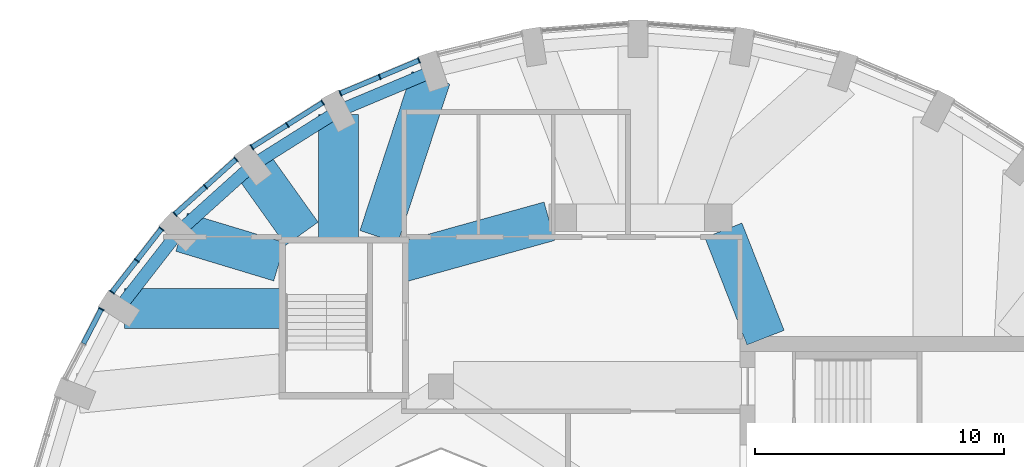
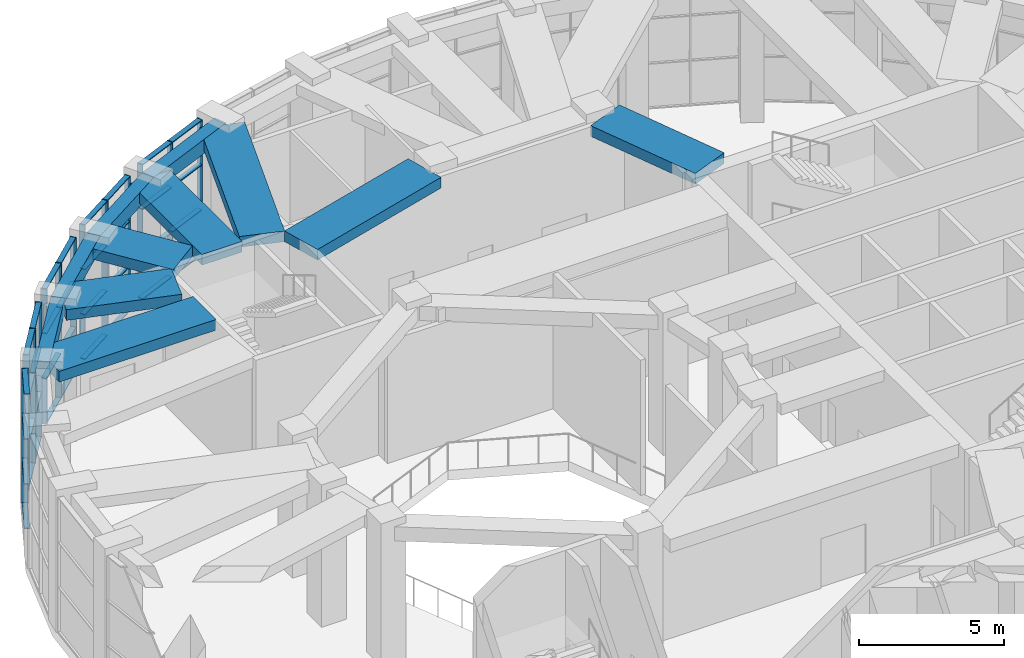
# One storey, part 9 of 20: 49 members, 11 beams, 5 elements without a shape of their own.
"""IFC4 building model written with IfcOpenShell, lengths in metres."""

from ifc_helpers import new_model, si_unit, direction, frame, origin, origin_2d, place, context, subcontext, project, spatial, rectangle, extrude, material, material_profile, profile_set, type_object, element, aggregate, save


model = new_model("IFC4")

# Units and contexts
model_context = context("Model", 3, precision=1e-05, world=origin(), true_north=direction((0.0, 1.0)))
body_context = subcontext(model_context, "Body", "Model", "MODEL_VIEW")
ifc_project = project(units=[si_unit("LENGTHUNIT", "METRE"), si_unit("AREAUNIT", "SQUARE_METRE"), si_unit("VOLUMEUNIT", "CUBIC_METRE"), si_unit("PLANEANGLEUNIT", "RADIAN"), si_unit("MASSUNIT", "GRAM", prefix="KILO")], contexts=[model_context])

# Site, building, storey
site_placement = place(None, origin())
site = spatial("IfcSite", under=ifc_project, at=site_placement, CompositionType="ELEMENT")
building_placement = place(site_placement, origin())
building = spatial("IfcBuilding", under=site, at=building_placement, Name="Taillehof Tower", CompositionType="ELEMENT")
storey_placement = place(building_placement, frame((0.0, 0.0, 269.199951171875)))
storey = spatial("IfcBuildingStorey", under=building, at=storey_placement, Name="L76", CompositionType="ELEMENT", Elevation=269.199951171875)

# Curtain wall, members
ifc_material_1 = material(Name="Aluminium curtain wall with Clear toughened laminated glass", Category="aluminium")
curtain_wall_type = type_object("IfcCurtainWallType", Name="Observation deck curtain wall", PredefinedType="USERDEFINED", material=ifc_material_1)
curtain_wall_1_placement = place(storey_placement, origin())
curtain_wall_1 = element("IfcCurtainWall", 1, at=curtain_wall_1_placement, inside=storey, type_object=curtain_wall_type, Name="Observation deck L76 bay 12", ObjectType="WINDOW WALL", PredefinedType="USERDEFINED")
ifc_material_2 = material(Name="Aluminium mullion", Category="aluminium")
ifc_material_profile_1 = material_profile(ifc_material_2, rectangle(XDim=0.239990234375, YDim=0.0400390625, at=origin_2d()), Name="AL 40x240")
ifc_profile_set_1 = profile_set([ifc_material_profile_1], Name="Aluminium mullion")
member_type_1 = type_object("IfcMemberType", Name="Observation deck mullion 40x240", PredefinedType="MULLION", material=ifc_profile_set_1)
member_1_placement = place(storey_placement, frame((-8.88916015625, 21.07763671875, 0.0), z_axis=(0.0, 0.0, 1.0), x_axis=(0.387100713636, -0.922037438233, 0.0)))
member_1 = element("IfcMember", 2, at=member_1_placement, type_object=member_type_1, Name="CT6E12 mullion 1", PredefinedType="MULLION", context=body_context, shape_type="SweptSolid", body=[
    extrude(rectangle(XDim=0.239990234375, YDim=0.0400390625, at=origin_2d()), origin(), (0.0, 0.0, 1.0), 5.699951171875),
])
member_2_placement = place(storey_placement, frame((-10.46533203125, 20.415771484375, 0.0), z_axis=(0.0, 0.0, 1.0), x_axis=(0.387100713636, -0.922037438233, 0.0)))
member_2 = element("IfcMember", 3, at=member_2_placement, type_object=member_type_1, Name="CT6E12 mullion 2", PredefinedType="MULLION", context=body_context, shape_type="SweptSolid", body=[
    extrude(rectangle(XDim=0.239990234375, YDim=0.0400390625, at=origin_2d()), origin(), (0.0, 0.0, 1.0), 5.699951171875),
])
member_3_placement = place(storey_placement, frame((-12.041259765625, 19.754150390625, 0.0), z_axis=(0.0, 0.0, 1.0), x_axis=(0.387100713636, -0.922037438233, 0.0)))
member_3 = element("IfcMember", 4, at=member_3_placement, type_object=member_type_1, Name="CT6E12 mullion 3", PredefinedType="MULLION", context=body_context, shape_type="SweptSolid", body=[
    extrude(rectangle(XDim=0.239990234375, YDim=0.0400390625, at=origin_2d()), origin(), (0.0, 0.0, 1.0), 5.699951171875),
])

curtain_wall_2_placement = place(storey_placement, origin())
curtain_wall_2 = element("IfcCurtainWall", 5, at=curtain_wall_2_placement, inside=storey, type_object=curtain_wall_type, Name="Observation deck L76 bay 13", ObjectType="WINDOW WALL", PredefinedType="USERDEFINED")
member_4_placement = place(storey_placement, frame((-12.7509765625, 19.384765625, 0.0), z_axis=(0.0, 0.0, 1.0), x_axis=(0.533294430468, -0.845929695916, 0.0)))
member_4 = element("IfcMember", 6, at=member_4_placement, type_object=member_type_1, Name="CT6E13 mullion 1", PredefinedType="MULLION", context=body_context, shape_type="SweptSolid", body=[
    extrude(rectangle(XDim=0.239990234375, YDim=0.0400390625, at=origin_2d()), origin(), (0.0, 0.0, 1.0), 5.699951171875),
])
member_5_placement = place(storey_placement, frame((-14.17236328125, 18.48876953125, 0.0), z_axis=(0.0, 0.0, 1.0), x_axis=(0.533294430468, -0.845929695916, 0.0)))
member_5 = element("IfcMember", 7, at=member_5_placement, type_object=member_type_1, Name="CT6E13 mullion 2", PredefinedType="MULLION", context=body_context, shape_type="SweptSolid", body=[
    extrude(rectangle(XDim=0.239990234375, YDim=0.0400390625, at=origin_2d()), origin(), (0.0, 0.0, 1.0), 5.699951171875),
])
member_6_placement = place(storey_placement, frame((-15.593505859375, 17.5927734375, 0.0), z_axis=(0.0, 0.0, 1.0), x_axis=(0.533294430468, -0.845929695916, 0.0)))
member_6 = element("IfcMember", 8, at=member_6_placement, type_object=member_type_1, Name="CT6E13 mullion 3", PredefinedType="MULLION", context=body_context, shape_type="SweptSolid", body=[
    extrude(rectangle(XDim=0.239990234375, YDim=0.0400390625, at=origin_2d()), origin(), (0.0, 0.0, 1.0), 5.699951171875),
])

curtain_wall_3_placement = place(storey_placement, origin())
curtain_wall_3 = element("IfcCurtainWall", 9, at=curtain_wall_3_placement, inside=storey, type_object=curtain_wall_type, Name="Observation deck L76 bay 14", ObjectType="WINDOW WALL", PredefinedType="USERDEFINED")
member_7_placement = place(storey_placement, frame((-16.231689453125, 17.110107421875, 0.0), z_axis=(0.0, 0.0, 1.0), x_axis=(0.669107157872, -0.74316593792, 0.0)))
member_7 = element("IfcMember", 10, at=member_7_placement, type_object=member_type_1, Name="CT6E14 mullion 1", PredefinedType="MULLION", context=body_context, shape_type="SweptSolid", body=[
    extrude(rectangle(XDim=0.239990234375, YDim=0.0400390625, at=origin_2d()), origin(), (0.0, 0.0, 1.0), 5.699951171875),
])
member_8_placement = place(storey_placement, frame((-17.455078125, 16.00830078125, 0.0), z_axis=(0.0, 0.0, 1.0), x_axis=(0.669107157872, -0.74316593792, 0.0)))
member_8 = element("IfcMember", 11, at=member_8_placement, type_object=member_type_1, Name="CT6E14 mullion 2", PredefinedType="MULLION", context=body_context, shape_type="SweptSolid", body=[
    extrude(rectangle(XDim=0.239990234375, YDim=0.0400390625, at=origin_2d()), origin(), (0.0, 0.0, 1.0), 5.699951171875),
])
member_9_placement = place(storey_placement, frame((-18.6787109375, 14.90673828125, 0.0), z_axis=(0.0, 0.0, 1.0), x_axis=(0.669107157872, -0.74316593792, 0.0)))
member_9 = element("IfcMember", 12, at=member_9_placement, type_object=member_type_1, Name="CT6E14 mullion 3", PredefinedType="MULLION", context=body_context, shape_type="SweptSolid", body=[
    extrude(rectangle(XDim=0.239990234375, YDim=0.0400390625, at=origin_2d()), origin(), (0.0, 0.0, 1.0), 5.699951171875),
])

curtain_wall_4_placement = place(storey_placement, origin())
curtain_wall_4 = element("IfcCurtainWall", 13, at=curtain_wall_4_placement, inside=storey, type_object=curtain_wall_type, Name="Observation deck L76 bay 15", ObjectType="WINDOW WALL", PredefinedType="USERDEFINED")
member_10_placement = place(storey_placement, frame((-19.2236328125, 14.321044921875, 0.0), z_axis=(0.0, 0.0, 1.0), x_axis=(0.789381612432, -0.613902818005, 0.0)))
member_10 = element("IfcMember", 14, at=member_10_placement, type_object=member_type_1, Name="CT6E15 mullion 1", PredefinedType="MULLION", context=body_context, shape_type="SweptSolid", body=[
    extrude(rectangle(XDim=0.239990234375, YDim=0.0400390625, at=origin_2d()), origin(), (0.0, 0.0, 1.0), 5.699951171875),
])
member_11_placement = place(storey_placement, frame((-20.21337890625, 13.04833984375, 0.0), z_axis=(0.0, 0.0, 1.0), x_axis=(0.789381612432, -0.613902818005, 0.0)))
member_11 = element("IfcMember", 15, at=member_11_placement, type_object=member_type_1, Name="CT6E15 mullion 2", PredefinedType="MULLION", context=body_context, shape_type="SweptSolid", body=[
    extrude(rectangle(XDim=0.239990234375, YDim=0.0400390625, at=origin_2d()), origin(), (0.0, 0.0, 1.0), 5.699951171875),
])
member_12_placement = place(storey_placement, frame((-21.203125, 11.775634765625, 0.0), z_axis=(0.0, 0.0, 1.0), x_axis=(0.789381612432, -0.613902818005, 0.0)))
member_12 = element("IfcMember", 16, at=member_12_placement, type_object=member_type_1, Name="CT6E15 mullion 3", PredefinedType="MULLION", context=body_context, shape_type="SweptSolid", body=[
    extrude(rectangle(XDim=0.239990234375, YDim=0.0400390625, at=origin_2d()), origin(), (0.0, 0.0, 1.0), 5.699951171875),
])

# Curtain wall, member
curtain_wall_5_placement = place(storey_placement, origin())
curtain_wall_5 = element("IfcCurtainWall", 17, at=curtain_wall_5_placement, inside=storey, type_object=curtain_wall_type, Name="Observation deck L76 bay 16", ObjectType="WINDOW WALL", PredefinedType="USERDEFINED")
member_13_placement = place(storey_placement, frame((-21.634521484375, 11.10205078125, 0.0), z_axis=(0.0, 0.0, 1.0), x_axis=(0.887975262702, -0.459891218474, 0.0)))
member_13 = element("IfcMember", 18, at=member_13_placement, type_object=member_type_1, Name="CT6E16 mullion 1", PredefinedType="MULLION", context=body_context, shape_type="SweptSolid", body=[
    extrude(rectangle(XDim=0.239990234375, YDim=0.0400390625, at=origin_2d()), origin(), (0.0, 0.0, 1.0), 5.699951171875),
])

# Member
ifc_material_3 = material(Name="Aluminium transom", Category="aluminium")
ifc_material_profile_2 = material_profile(ifc_material_3, rectangle(XDim=0.199951171875, YDim=0.0400390625, at=origin_2d()), Name="AL 200x40")
ifc_profile_set_2 = profile_set([ifc_material_profile_2], Name="Aluminium transom")
member_type_2 = type_object("IfcMemberType", Name="Observation deck transom 200x40", PredefinedType="USERDEFINED", material=ifc_profile_set_2)
member_14_placement = place(storey_placement, frame((-8.907470703125, 21.06982421875, 0.02001953125), z_axis=(-0.922039527132, -0.387095738036, 0.0), x_axis=(0.387095738036, -0.922039527132, 0.0)))
member_14 = element("IfcMember", 19, at=member_14_placement, type_object=member_type_2, Name="CT6E12 transom 1.1", ObjectType="TRANSOM", PredefinedType="USERDEFINED", context=body_context, shape_type="SweptSolid", body=[
    extrude(rectangle(XDim=0.199951171875, YDim=0.0400390625, at=origin_2d()), origin(), (0.0, 0.0, 1.0), 1.66943359375),
])

member_15_placement = place(storey_placement, frame((-8.907470703125, 21.06982421875, 1.900146484375), z_axis=(-0.922039527132, -0.387095738036, 0.0), x_axis=(0.387095738036, -0.922039527132, 0.0)))
member_15 = element("IfcMember", 20, at=member_15_placement, type_object=member_type_2, Name="CT6E12 transom 1.2", ObjectType="TRANSOM", PredefinedType="USERDEFINED", context=body_context, shape_type="SweptSolid", body=[
    extrude(rectangle(XDim=0.199951171875, YDim=0.0400390625, at=origin_2d()), origin(), (0.0, 0.0, 1.0), 1.66943359375),
])

member_16_placement = place(storey_placement, frame((-8.907470703125, 21.06982421875, 3.800048828125), z_axis=(-0.922039527132, -0.387095738036, 0.0), x_axis=(0.387095738036, -0.922039527132, 0.0)))
member_16 = element("IfcMember", 21, at=member_16_placement, type_object=member_type_2, Name="CT6E12 transom 1.3", ObjectType="TRANSOM", PredefinedType="USERDEFINED", context=body_context, shape_type="SweptSolid", body=[
    extrude(rectangle(XDim=0.199951171875, YDim=0.0400390625, at=origin_2d()), origin(), (0.0, 0.0, 1.0), 1.66943359375),
])

member_17_placement = place(storey_placement, frame((-8.907470703125, 21.06982421875, 5.679931640625), z_axis=(-0.922039527132, -0.387095738036, 0.0), x_axis=(0.387095738036, -0.922039527132, 0.0)))
member_17 = element("IfcMember", 22, at=member_17_placement, type_object=member_type_2, Name="CT6E12 transom 1.4", ObjectType="TRANSOM", PredefinedType="USERDEFINED", context=body_context, shape_type="SweptSolid", body=[
    extrude(rectangle(XDim=0.199951171875, YDim=0.0400390625, at=origin_2d()), origin(), (0.0, 0.0, 1.0), 1.66943359375),
])

member_18_placement = place(storey_placement, frame((-10.483642578125, 20.408203125, 0.02001953125), z_axis=(-0.922039527132, -0.387095738036, 0.0), x_axis=(0.387095738036, -0.922039527132, 0.0)))
member_18 = element("IfcMember", 23, at=member_18_placement, type_object=member_type_2, Name="CT6E12 transom 2.1", ObjectType="TRANSOM", PredefinedType="USERDEFINED", context=body_context, shape_type="SweptSolid", body=[
    extrude(rectangle(XDim=0.199951171875, YDim=0.0400390625, at=origin_2d()), origin(), (0.0, 0.0, 1.0), 1.66943359375),
])

member_19_placement = place(storey_placement, frame((-10.483642578125, 20.408203125, 1.900146484375), z_axis=(-0.922039527132, -0.387095738036, 0.0), x_axis=(0.387095738036, -0.922039527132, 0.0)))
member_19 = element("IfcMember", 24, at=member_19_placement, type_object=member_type_2, Name="CT6E12 transom 2.2", ObjectType="TRANSOM", PredefinedType="USERDEFINED", context=body_context, shape_type="SweptSolid", body=[
    extrude(rectangle(XDim=0.199951171875, YDim=0.0400390625, at=origin_2d()), origin(), (0.0, 0.0, 1.0), 1.66943359375),
])

member_20_placement = place(storey_placement, frame((-10.483642578125, 20.408203125, 3.800048828125), z_axis=(-0.922039527132, -0.387095738036, 0.0), x_axis=(0.387095738036, -0.922039527132, 0.0)))
member_20 = element("IfcMember", 25, at=member_20_placement, type_object=member_type_2, Name="CT6E12 transom 2.3", ObjectType="TRANSOM", PredefinedType="USERDEFINED", context=body_context, shape_type="SweptSolid", body=[
    extrude(rectangle(XDim=0.199951171875, YDim=0.0400390625, at=origin_2d()), origin(), (0.0, 0.0, 1.0), 1.66943359375),
])

member_21_placement = place(storey_placement, frame((-10.483642578125, 20.408203125, 5.679931640625), z_axis=(-0.922039527132, -0.387095738036, 0.0), x_axis=(0.387095738036, -0.922039527132, 0.0)))
member_21 = element("IfcMember", 26, at=member_21_placement, type_object=member_type_2, Name="CT6E12 transom 2.4", ObjectType="TRANSOM", PredefinedType="USERDEFINED", context=body_context, shape_type="SweptSolid", body=[
    extrude(rectangle(XDim=0.199951171875, YDim=0.0400390625, at=origin_2d()), origin(), (0.0, 0.0, 1.0), 1.66943359375),
])

aggregate(curtain_wall_1, [member_1, member_2, member_3, member_14, member_15, member_16, member_17, member_18, member_19, member_20, member_21])

member_22_placement = place(storey_placement, frame((-12.767822265625, 19.3740234375, 0.02001953125), z_axis=(-0.84597669572, -0.533219870503, 0.0), x_axis=(0.533219870503, -0.84597669572, 0.0)))
member_22 = element("IfcMember", 27, at=member_22_placement, type_object=member_type_2, Name="CT6E13 transom 1.1", ObjectType="TRANSOM", PredefinedType="USERDEFINED", context=body_context, shape_type="SweptSolid", body=[
    extrude(rectangle(XDim=0.199951171875, YDim=0.0400390625, at=origin_2d()), origin(), (0.0, 0.0, 1.0), 1.64013671875),
])

member_23_placement = place(storey_placement, frame((-12.767822265625, 19.3740234375, 1.900146484375), z_axis=(-0.84597669572, -0.533219870503, 0.0), x_axis=(0.533219870503, -0.84597669572, 0.0)))
member_23 = element("IfcMember", 28, at=member_23_placement, type_object=member_type_2, Name="CT6E13 transom 1.2", ObjectType="TRANSOM", PredefinedType="USERDEFINED", context=body_context, shape_type="SweptSolid", body=[
    extrude(rectangle(XDim=0.199951171875, YDim=0.0400390625, at=origin_2d()), origin(), (0.0, 0.0, 1.0), 1.64013671875),
])

member_24_placement = place(storey_placement, frame((-12.767822265625, 19.3740234375, 3.800048828125), z_axis=(-0.84597669572, -0.533219870503, 0.0), x_axis=(0.533219870503, -0.84597669572, 0.0)))
member_24 = element("IfcMember", 29, at=member_24_placement, type_object=member_type_2, Name="CT6E13 transom 1.3", ObjectType="TRANSOM", PredefinedType="USERDEFINED", context=body_context, shape_type="SweptSolid", body=[
    extrude(rectangle(XDim=0.199951171875, YDim=0.0400390625, at=origin_2d()), origin(), (0.0, 0.0, 1.0), 1.64013671875),
])

member_25_placement = place(storey_placement, frame((-12.767822265625, 19.3740234375, 5.679931640625), z_axis=(-0.84597669572, -0.533219870503, 0.0), x_axis=(0.533219870503, -0.84597669572, 0.0)))
member_25 = element("IfcMember", 30, at=member_25_placement, type_object=member_type_2, Name="CT6E13 transom 1.4", ObjectType="TRANSOM", PredefinedType="USERDEFINED", context=body_context, shape_type="SweptSolid", body=[
    extrude(rectangle(XDim=0.199951171875, YDim=0.0400390625, at=origin_2d()), origin(), (0.0, 0.0, 1.0), 1.64013671875),
])

member_26_placement = place(storey_placement, frame((-14.189208984375, 18.47802734375, 0.02001953125), z_axis=(-0.845909544428, -0.533326394102, 0.0), x_axis=(0.533326394102, -0.845909544428, 0.0)))
member_26 = element("IfcMember", 31, at=member_26_placement, type_object=member_type_2, Name="CT6E13 transom 2.1", ObjectType="TRANSOM", PredefinedType="USERDEFINED", context=body_context, shape_type="SweptSolid", body=[
    extrude(rectangle(XDim=0.199951171875, YDim=0.0400390625, at=origin_2d()), origin(), (0.0, 0.0, 1.0), 1.64013671875),
])

member_27_placement = place(storey_placement, frame((-14.189208984375, 18.47802734375, 1.900146484375), z_axis=(-0.845909544428, -0.533326394102, 0.0), x_axis=(0.533326394102, -0.845909544428, 0.0)))
member_27 = element("IfcMember", 32, at=member_27_placement, type_object=member_type_2, Name="CT6E13 transom 2.2", ObjectType="TRANSOM", PredefinedType="USERDEFINED", context=body_context, shape_type="SweptSolid", body=[
    extrude(rectangle(XDim=0.199951171875, YDim=0.0400390625, at=origin_2d()), origin(), (0.0, 0.0, 1.0), 1.64013671875),
])

member_28_placement = place(storey_placement, frame((-14.189208984375, 18.47802734375, 3.800048828125), z_axis=(-0.845909544428, -0.533326394102, 0.0), x_axis=(0.533326394102, -0.845909544428, 0.0)))
member_28 = element("IfcMember", 33, at=member_28_placement, type_object=member_type_2, Name="CT6E13 transom 2.3", ObjectType="TRANSOM", PredefinedType="USERDEFINED", context=body_context, shape_type="SweptSolid", body=[
    extrude(rectangle(XDim=0.199951171875, YDim=0.0400390625, at=origin_2d()), origin(), (0.0, 0.0, 1.0), 1.64013671875),
])

member_29_placement = place(storey_placement, frame((-14.189208984375, 18.47802734375, 5.679931640625), z_axis=(-0.845909544428, -0.533326394102, 0.0), x_axis=(0.533326394102, -0.845909544428, 0.0)))
member_29 = element("IfcMember", 34, at=member_29_placement, type_object=member_type_2, Name="CT6E13 transom 2.4", ObjectType="TRANSOM", PredefinedType="USERDEFINED", context=body_context, shape_type="SweptSolid", body=[
    extrude(rectangle(XDim=0.199951171875, YDim=0.0400390625, at=origin_2d()), origin(), (0.0, 0.0, 1.0), 1.64013671875),
])

aggregate(curtain_wall_2, [member_4, member_5, member_6, member_22, member_23, member_24, member_25, member_26, member_27, member_28, member_29])

member_30_placement = place(storey_placement, frame((-16.246337890625, 17.0966796875, 0.02001953125), z_axis=(-0.7432110271, -0.669057074693, 0.0), x_axis=(0.669057074693, -0.7432110271, 0.0)))
member_30 = element("IfcMember", 35, at=member_30_placement, type_object=member_type_2, Name="CT6E14 transom 1.1", ObjectType="TRANSOM", PredefinedType="USERDEFINED", context=body_context, shape_type="SweptSolid", body=[
    extrude(rectangle(XDim=0.199951171875, YDim=0.0400390625, at=origin_2d()), origin(), (0.0, 0.0, 1.0), 1.606689453125),
])

member_31_placement = place(storey_placement, frame((-16.246337890625, 17.0966796875, 1.900146484375), z_axis=(-0.7432110271, -0.669057074693, 0.0), x_axis=(0.669057074693, -0.7432110271, 0.0)))
member_31 = element("IfcMember", 36, at=member_31_placement, type_object=member_type_2, Name="CT6E14 transom 1.2", ObjectType="TRANSOM", PredefinedType="USERDEFINED", context=body_context, shape_type="SweptSolid", body=[
    extrude(rectangle(XDim=0.199951171875, YDim=0.0400390625, at=origin_2d()), origin(), (0.0, 0.0, 1.0), 1.606689453125),
])

member_32_placement = place(storey_placement, frame((-16.246337890625, 17.0966796875, 3.800048828125), z_axis=(-0.7432110271, -0.669057074693, 0.0), x_axis=(0.669057074693, -0.7432110271, 0.0)))
member_32 = element("IfcMember", 37, at=member_32_placement, type_object=member_type_2, Name="CT6E14 transom 1.3", ObjectType="TRANSOM", PredefinedType="USERDEFINED", context=body_context, shape_type="SweptSolid", body=[
    extrude(rectangle(XDim=0.199951171875, YDim=0.0400390625, at=origin_2d()), origin(), (0.0, 0.0, 1.0), 1.606689453125),
])

member_33_placement = place(storey_placement, frame((-16.246337890625, 17.0966796875, 5.679931640625), z_axis=(-0.7432110271, -0.669057074693, 0.0), x_axis=(0.669057074693, -0.7432110271, 0.0)))
member_33 = element("IfcMember", 38, at=member_33_placement, type_object=member_type_2, Name="CT6E14 transom 1.4", ObjectType="TRANSOM", PredefinedType="USERDEFINED", context=body_context, shape_type="SweptSolid", body=[
    extrude(rectangle(XDim=0.199951171875, YDim=0.0400390625, at=origin_2d()), origin(), (0.0, 0.0, 1.0), 1.606689453125),
])

member_34_placement = place(storey_placement, frame((-17.469970703125, 15.994873046875, 0.02001953125), z_axis=(-0.74321856764, -0.669048698313, 0.0), x_axis=(0.669048698313, -0.74321856764, 0.0)))
member_34 = element("IfcMember", 39, at=member_34_placement, type_object=member_type_2, Name="CT6E14 transom 2.1", ObjectType="TRANSOM", PredefinedType="USERDEFINED", context=body_context, shape_type="SweptSolid", body=[
    extrude(rectangle(XDim=0.199951171875, YDim=0.0400390625, at=origin_2d()), origin(), (0.0, 0.0, 1.0), 1.606201171875),
])

member_35_placement = place(storey_placement, frame((-17.469970703125, 15.994873046875, 1.900146484375), z_axis=(-0.74321856764, -0.669048698313, 0.0), x_axis=(0.669048698313, -0.74321856764, 0.0)))
member_35 = element("IfcMember", 40, at=member_35_placement, type_object=member_type_2, Name="CT6E14 transom 2.2", ObjectType="TRANSOM", PredefinedType="USERDEFINED", context=body_context, shape_type="SweptSolid", body=[
    extrude(rectangle(XDim=0.199951171875, YDim=0.0400390625, at=origin_2d()), origin(), (0.0, 0.0, 1.0), 1.606201171875),
])

member_36_placement = place(storey_placement, frame((-17.469970703125, 15.994873046875, 3.800048828125), z_axis=(-0.74321856764, -0.669048698313, 0.0), x_axis=(0.669048698313, -0.74321856764, 0.0)))
member_36 = element("IfcMember", 41, at=member_36_placement, type_object=member_type_2, Name="CT6E14 transom 2.3", ObjectType="TRANSOM", PredefinedType="USERDEFINED", context=body_context, shape_type="SweptSolid", body=[
    extrude(rectangle(XDim=0.199951171875, YDim=0.0400390625, at=origin_2d()), origin(), (0.0, 0.0, 1.0), 1.606201171875),
])

member_37_placement = place(storey_placement, frame((-17.469970703125, 15.994873046875, 5.679931640625), z_axis=(-0.74321856764, -0.669048698313, 0.0), x_axis=(0.669048698313, -0.74321856764, 0.0)))
member_37 = element("IfcMember", 42, at=member_37_placement, type_object=member_type_2, Name="CT6E14 transom 2.4", ObjectType="TRANSOM", PredefinedType="USERDEFINED", context=body_context, shape_type="SweptSolid", body=[
    extrude(rectangle(XDim=0.199951171875, YDim=0.0400390625, at=origin_2d()), origin(), (0.0, 0.0, 1.0), 1.606201171875),
])

aggregate(curtain_wall_3, [member_7, member_8, member_9, member_30, member_31, member_32, member_33, member_34, member_35, member_36, member_37])

member_38_placement = place(storey_placement, frame((-19.236083984375, 14.30517578125, 0.02001953125), z_axis=(-0.613897606681, -0.789385665256, 0.0), x_axis=(0.789385665256, -0.613897606681, 0.0)))
member_38 = element("IfcMember", 43, at=member_38_placement, type_object=member_type_2, Name="CT6E15 transom 1.1", ObjectType="TRANSOM", PredefinedType="USERDEFINED", context=body_context, shape_type="SweptSolid", body=[
    extrude(rectangle(XDim=0.199951171875, YDim=0.0400390625, at=origin_2d()), origin(), (0.0, 0.0, 1.0), 1.572021484375),
])

member_39_placement = place(storey_placement, frame((-19.236083984375, 14.30517578125, 1.900146484375), z_axis=(-0.613897606681, -0.789385665256, 0.0), x_axis=(0.789385665256, -0.613897606681, 0.0)))
member_39 = element("IfcMember", 44, at=member_39_placement, type_object=member_type_2, Name="CT6E15 transom 1.2", ObjectType="TRANSOM", PredefinedType="USERDEFINED", context=body_context, shape_type="SweptSolid", body=[
    extrude(rectangle(XDim=0.199951171875, YDim=0.0400390625, at=origin_2d()), origin(), (0.0, 0.0, 1.0), 1.572021484375),
])

member_40_placement = place(storey_placement, frame((-19.236083984375, 14.30517578125, 3.800048828125), z_axis=(-0.613897606681, -0.789385665256, 0.0), x_axis=(0.789385665256, -0.613897606681, 0.0)))
member_40 = element("IfcMember", 45, at=member_40_placement, type_object=member_type_2, Name="CT6E15 transom 1.3", ObjectType="TRANSOM", PredefinedType="USERDEFINED", context=body_context, shape_type="SweptSolid", body=[
    extrude(rectangle(XDim=0.199951171875, YDim=0.0400390625, at=origin_2d()), origin(), (0.0, 0.0, 1.0), 1.572021484375),
])

member_41_placement = place(storey_placement, frame((-19.236083984375, 14.30517578125, 5.679931640625), z_axis=(-0.613897606681, -0.789385665256, 0.0), x_axis=(0.789385665256, -0.613897606681, 0.0)))
member_41 = element("IfcMember", 46, at=member_41_placement, type_object=member_type_2, Name="CT6E15 transom 1.4", ObjectType="TRANSOM", PredefinedType="USERDEFINED", context=body_context, shape_type="SweptSolid", body=[
    extrude(rectangle(XDim=0.199951171875, YDim=0.0400390625, at=origin_2d()), origin(), (0.0, 0.0, 1.0), 1.572021484375),
])

member_42_placement = place(storey_placement, frame((-20.225830078125, 13.032470703125, 0.02001953125), z_axis=(-0.613897606681, -0.789385665256, 0.0), x_axis=(0.789385665256, -0.613897606681, 0.0)))
member_42 = element("IfcMember", 47, at=member_42_placement, type_object=member_type_2, Name="CT6E15 transom 2.1", ObjectType="TRANSOM", PredefinedType="USERDEFINED", context=body_context, shape_type="SweptSolid", body=[
    extrude(rectangle(XDim=0.199951171875, YDim=0.0400390625, at=origin_2d()), origin(), (0.0, 0.0, 1.0), 1.572021484375),
])

member_43_placement = place(storey_placement, frame((-20.225830078125, 13.032470703125, 1.900146484375), z_axis=(-0.613897606681, -0.789385665256, 0.0), x_axis=(0.789385665256, -0.613897606681, 0.0)))
member_43 = element("IfcMember", 48, at=member_43_placement, type_object=member_type_2, Name="CT6E15 transom 2.2", ObjectType="TRANSOM", PredefinedType="USERDEFINED", context=body_context, shape_type="SweptSolid", body=[
    extrude(rectangle(XDim=0.199951171875, YDim=0.0400390625, at=origin_2d()), origin(), (0.0, 0.0, 1.0), 1.572021484375),
])

member_44_placement = place(storey_placement, frame((-20.225830078125, 13.032470703125, 3.800048828125), z_axis=(-0.613897606681, -0.789385665256, 0.0), x_axis=(0.789385665256, -0.613897606681, 0.0)))
member_44 = element("IfcMember", 49, at=member_44_placement, type_object=member_type_2, Name="CT6E15 transom 2.3", ObjectType="TRANSOM", PredefinedType="USERDEFINED", context=body_context, shape_type="SweptSolid", body=[
    extrude(rectangle(XDim=0.199951171875, YDim=0.0400390625, at=origin_2d()), origin(), (0.0, 0.0, 1.0), 1.572021484375),
])

member_45_placement = place(storey_placement, frame((-20.225830078125, 13.032470703125, 5.679931640625), z_axis=(-0.613897606681, -0.789385665256, 0.0), x_axis=(0.789385665256, -0.613897606681, 0.0)))
member_45 = element("IfcMember", 50, at=member_45_placement, type_object=member_type_2, Name="CT6E15 transom 2.4", ObjectType="TRANSOM", PredefinedType="USERDEFINED", context=body_context, shape_type="SweptSolid", body=[
    extrude(rectangle(XDim=0.199951171875, YDim=0.0400390625, at=origin_2d()), origin(), (0.0, 0.0, 1.0), 1.572021484375),
])

aggregate(curtain_wall_4, [member_10, member_11, member_12, member_38, member_39, member_40, member_41, member_42, member_43, member_44, member_45])

member_46_placement = place(storey_placement, frame((-21.643798828125, 11.084228515625, 0.02001953125), z_axis=(-0.459901076525, -0.88797015705, 0.0), x_axis=(0.88797015705, -0.459901076525, 0.0)))
member_46 = element("IfcMember", 51, at=member_46_placement, type_object=member_type_2, Name="CT6E16 transom 1.1", ObjectType="TRANSOM", PredefinedType="USERDEFINED", context=body_context, shape_type="SweptSolid", body=[
    extrude(rectangle(XDim=0.199951171875, YDim=0.0400390625, at=origin_2d()), origin(), (0.0, 0.0, 1.0), 1.54150390625),
])

member_47_placement = place(storey_placement, frame((-21.643798828125, 11.084228515625, 1.900146484375), z_axis=(-0.459901076525, -0.88797015705, 0.0), x_axis=(0.88797015705, -0.459901076525, 0.0)))
member_47 = element("IfcMember", 52, at=member_47_placement, type_object=member_type_2, Name="CT6E16 transom 1.2", ObjectType="TRANSOM", PredefinedType="USERDEFINED", context=body_context, shape_type="SweptSolid", body=[
    extrude(rectangle(XDim=0.199951171875, YDim=0.0400390625, at=origin_2d()), origin(), (0.0, 0.0, 1.0), 1.54150390625),
])

member_48_placement = place(storey_placement, frame((-21.643798828125, 11.084228515625, 3.800048828125), z_axis=(-0.459901076525, -0.88797015705, 0.0), x_axis=(0.88797015705, -0.459901076525, 0.0)))
member_48 = element("IfcMember", 53, at=member_48_placement, type_object=member_type_2, Name="CT6E16 transom 1.3", ObjectType="TRANSOM", PredefinedType="USERDEFINED", context=body_context, shape_type="SweptSolid", body=[
    extrude(rectangle(XDim=0.199951171875, YDim=0.0400390625, at=origin_2d()), origin(), (0.0, 0.0, 1.0), 1.54150390625),
])

member_49_placement = place(storey_placement, frame((-21.643798828125, 11.084228515625, 5.679931640625), z_axis=(-0.459901076525, -0.88797015705, 0.0), x_axis=(0.88797015705, -0.459901076525, 0.0)))
member_49 = element("IfcMember", 54, at=member_49_placement, type_object=member_type_2, Name="CT6E16 transom 1.4", ObjectType="TRANSOM", PredefinedType="USERDEFINED", context=body_context, shape_type="SweptSolid", body=[
    extrude(rectangle(XDim=0.199951171875, YDim=0.0400390625, at=origin_2d()), origin(), (0.0, 0.0, 1.0), 1.54150390625),
])

aggregate(curtain_wall_5, [member_13, member_46, member_47, member_48, member_49])

# Beams
ifc_material_4 = material(Name="Concrete C50/60", Category="concrete")
ifc_material_profile_3 = material_profile(ifc_material_4, rectangle(XDim=1.60009765625, YDim=0.449951171875, at=origin_2d()), Name="RC 1600x450")
ifc_profile_set_3 = profile_set([ifc_material_profile_3], Name="Concrete C50/60")
beam_type_1 = type_object("IfcBeamType", Name="Radial band beam C50/60 1600x450", PredefinedType="BEAM", material=ifc_profile_set_3)
beam_1_placement = place(storey_placement, frame((-8.41162109375, 20.38134765625, 5.47509765625), z_axis=(-0.311042642597, -0.950395956687, 0.0), x_axis=(0.950395956687, -0.311042642597, 0.0)))
element("IfcBeam", 55, at=beam_1_placement, inside=storey, type_object=beam_type_1, Name="Radial band beam RB12", PredefinedType="BEAM", context=body_context, shape_type="SweptSolid", body=[
    extrude(rectangle(XDim=1.60009765625, YDim=0.449951171875, at=origin_2d()), origin(), (0.0, 0.0, 1.0), 6.715576171875),
])
beam_2_placement = place(storey_placement, frame((-12.125, 18.91552734375, 5.47509765625), z_axis=(0.0, -1.0, 0.0), x_axis=(1.0, 0.0, 0.0)))
element("IfcBeam", 56, at=beam_2_placement, inside=storey, type_object=beam_type_1, Name="Radial band beam RB13", PredefinedType="BEAM", context=body_context, shape_type="SweptSolid", body=[
    extrude(rectangle(XDim=1.60009765625, YDim=0.449951171875, at=origin_2d()), origin(), (0.0, 0.0, 1.0), 4.965576171875),
])
beam_3_placement = place(storey_placement, frame((-15.55908203125, 16.884765625, 5.47509765625), z_axis=(0.580959197129, -0.813932682272, 0.0), x_axis=(0.813932682272, 0.580959197129, 0.0)))
element("IfcBeam", 57, at=beam_3_placement, inside=storey, type_object=beam_type_1, Name="Radial band beam RB14", PredefinedType="BEAM", context=body_context, shape_type="SweptSolid", body=[
    extrude(rectangle(XDim=1.60009765625, YDim=0.449951171875, at=origin_2d()), origin(), (0.0, 0.0, 1.0), 3.394287109375),
])
beam_4_placement = place(storey_placement, frame((-18.413818359375, 14.18310546875, 5.47509765625), z_axis=(0.957221394865, -0.289356529584, 0.0), x_axis=(0.289356529584, 0.957221394865, 0.0)))
element("IfcBeam", 58, at=beam_4_placement, inside=storey, type_object=beam_type_1, Name="Radial band beam RB15", PredefinedType="BEAM", context=body_context, shape_type="SweptSolid", body=[
    extrude(rectangle(XDim=1.60009765625, YDim=0.449951171875, at=origin_2d()), origin(), (0.0, 0.0, 1.0), 4.102294921875),
])
beam_5_placement = place(storey_placement, frame((-20.7119140625, 11.125, 5.47509765625), z_axis=(1.0, 0.0, 0.0), x_axis=(0.0, 1.0, 0.0)))
element("IfcBeam", 59, at=beam_5_placement, inside=storey, type_object=beam_type_1, Name="Radial band beam RB16", PredefinedType="BEAM", context=body_context, shape_type="SweptSolid", body=[
    extrude(rectangle(XDim=1.60009765625, YDim=0.449951171875, at=origin_2d()), origin(), (0.0, 0.0, 1.0), 6.261962890625),
])
beam_6_placement = place(storey_placement, frame((3.32666015625, 14.26025390625, 5.47509765625), z_axis=(0.365588707223, -0.930776502255, 0.0), x_axis=(0.930776502255, 0.365588707223, 0.0)))
element("IfcBeam", 60, at=beam_6_placement, inside=storey, type_object=beam_type_1, Name="Inner band beam IB205", PredefinedType="BEAM", context=body_context, shape_type="SweptSolid", body=[
    extrude(rectangle(XDim=1.60009765625, YDim=0.449951171875, at=origin_2d()), origin(), (0.0, 0.0, 1.0), 4.627197265625),
])
beam_7_placement = place(storey_placement, frame((-3.655517578125, 14.624755859375, 5.47509765625), z_axis=(-0.963459369536, -0.267854518821, 0.0), x_axis=(0.267854518821, -0.963459369536, 0.0)))
element("IfcBeam", 61, at=beam_7_placement, inside=storey, type_object=beam_type_1, Name="Inner band beam IB206", PredefinedType="BEAM", context=body_context, shape_type="SweptSolid", body=[
    extrude(rectangle(XDim=1.60009765625, YDim=0.449951171875, at=origin_2d()), origin(), (0.0, 0.0, 1.0), 6.096923828125),
])
ifc_material_5 = material(Name="Concrete C50/60", Category="concrete")
ifc_material_profile_4 = material_profile(ifc_material_5, rectangle(XDim=0.5, YDim=0.60009765625, at=origin_2d()), Name="RC 500x600")
ifc_profile_set_4 = profile_set([ifc_material_profile_4], Name="Concrete C50/60")
beam_type_2 = type_object("IfcBeamType", Name="Spandrel beam C50/60 500x600", PredefinedType="SPANDREL", material=ifc_profile_set_4)
beam_8_placement = place(storey_placement, frame((-8.32568359375, 20.644287109375, 5.400146484375), z_axis=(-0.922067545136, -0.387028994013, 0.0), x_axis=(0.387028994013, -0.922067545136, 0.0)))
element("IfcBeam", 62, at=beam_8_placement, inside=storey, type_object=beam_type_2, Name="Spandrel beam SB12", PredefinedType="SPANDREL", context=body_context, shape_type="SweptSolid", body=[
    extrude(rectangle(XDim=0.5, YDim=0.60009765625, at=origin_2d()), origin(), (0.0, 0.0, 1.0), 4.120361328125),
])
beam_9_placement = place(storey_placement, frame((-12.125, 19.049560546875, 5.400146484375), z_axis=(-0.845944476237, -0.5332709847, 0.0), x_axis=(0.5332709847, -0.845944476237, 0.0)))
element("IfcBeam", 63, at=beam_9_placement, inside=storey, type_object=beam_type_2, Name="Spandrel beam SB13", PredefinedType="SPANDREL", context=body_context, shape_type="SweptSolid", body=[
    extrude(rectangle(XDim=0.5, YDim=0.60009765625, at=origin_2d()), origin(), (0.0, 0.0, 1.0), 4.0595703125),
])
beam_10_placement = place(storey_placement, frame((-15.55908203125, 16.884765625, 5.400146484375), z_axis=(-0.743227182134, -0.669039128704, 0.0), x_axis=(0.669039128704, -0.743227182134, 0.0)))
element("IfcBeam", 64, at=beam_10_placement, inside=storey, type_object=beam_type_2, Name="Spandrel beam SB14", PredefinedType="SPANDREL", context=body_context, shape_type="SweptSolid", body=[
    extrude(rectangle(XDim=0.5, YDim=0.60009765625, at=origin_2d()), origin(), (0.0, 0.0, 1.0), 3.988525390625),
])
beam_11_placement = place(storey_placement, frame((-18.5234375, 14.21630859375, 5.400146484375), z_axis=(-0.613970823209, -0.78932872002, 0.0), x_axis=(0.78932872002, -0.613970823209, 0.0)))
element("IfcBeam", 65, at=beam_11_placement, inside=storey, type_object=beam_type_2, Name="Spandrel beam SB15", PredefinedType="SPANDREL", context=body_context, shape_type="SweptSolid", body=[
    extrude(rectangle(XDim=0.5, YDim=0.60009765625, at=origin_2d()), origin(), (0.0, 0.0, 1.0), 3.916259765625),
])

save(model, "model.ifc")
